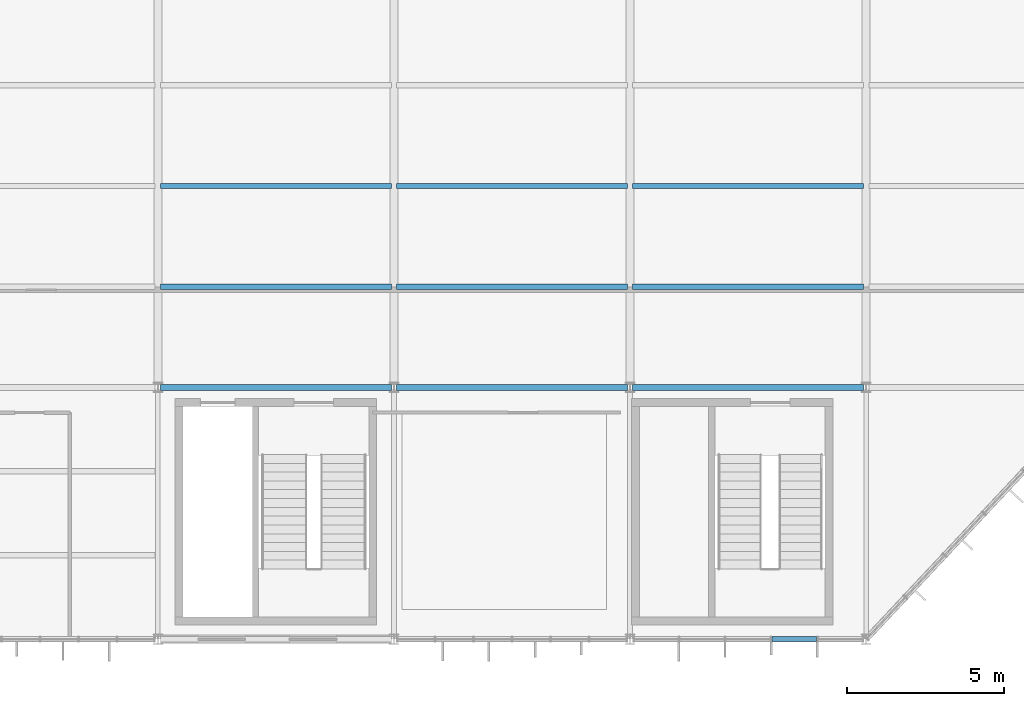
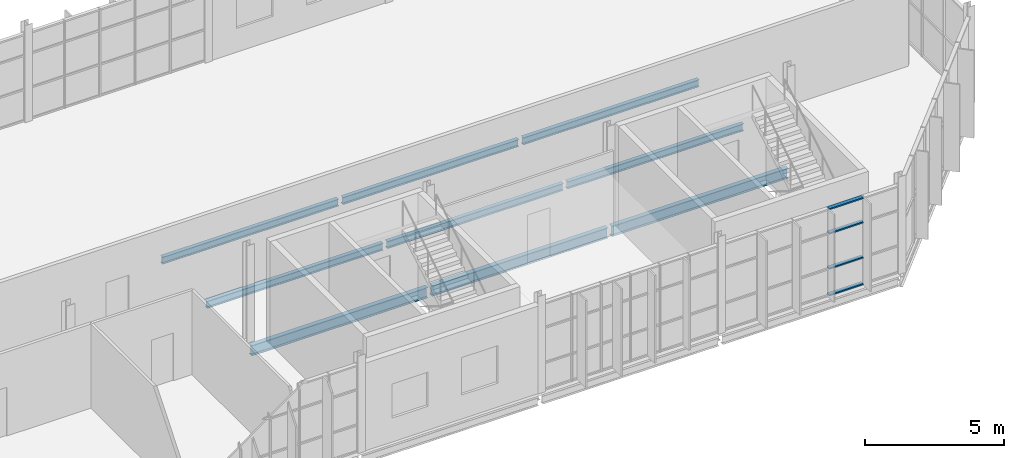
# One storey, part 59 of 324: 9 beams, 4 members, 1 element without a shape of its own.
"""IFC4 building model written with IfcOpenShell, lengths in metres."""

from ifc_helpers import new_model, si_unit, direction, frame, origin, origin_2d, place, context, subcontext, project, spatial, hollow_rectangle, i_section, extrude, material, layer, layer_set, material_profile, profile_set, type_object, element, aggregate, save


model = new_model("IFC4")

# Units and contexts
model_context = context("Model", 3, precision=1e-05, world=origin(), true_north=direction((0.0, 1.0)))
body_context = subcontext(model_context, "Body", "Model", "MODEL_VIEW")
ifc_project = project(units=[si_unit("LENGTHUNIT", "METRE"), si_unit("AREAUNIT", "SQUARE_METRE"), si_unit("VOLUMEUNIT", "CUBIC_METRE"), si_unit("PLANEANGLEUNIT", "RADIAN"), si_unit("MASSUNIT", "GRAM", prefix="KILO")], contexts=[model_context])

# Site, building, storey
site_placement = place(None, origin())
site = spatial("IfcSite", under=ifc_project, at=site_placement, CompositionType="ELEMENT")
building_placement = place(site_placement, origin())
building = spatial("IfcBuilding", under=site, at=building_placement, Name="Solvenia Promenade Tram Depot", CompositionType="ELEMENT")
storey_placement = place(building_placement, frame((0.0, 0.0, 4.5)))
storey = spatial("IfcBuildingStorey", under=building, at=storey_placement, Name="L01", CompositionType="ELEMENT", Elevation=4.5)

# Beams
ifc_material_1 = material(Name="Structural steel ASTM A992 Gr. 50", Category="steel")
ifc_material_profile_1 = material_profile(ifc_material_1, i_section(OverallWidth=0.19091796875, OverallDepth=0.4599609375, WebThickness=0.010009765625, FlangeThickness=0.01611328125, FilletRadius=0.012939453125, at=origin_2d()), Name="W460x82", Category="steel")
ifc_profile_set_1 = profile_set([ifc_material_profile_1], Name="Structural steel ASTM A992 Gr. 50")
beam_type_1 = type_object("IfcBeamType", Name="Beam-W460x82", PredefinedType="BEAM", material=ifc_profile_set_1)
for number, where, z_axis, x_axis, name in (
    (1, (60.0849609375, 8.0, -0.449951171875), (1.0, 0.0, 0.0), (0.0, 1.0, 0.0), "Primary Girder BM-L01-0320"),
    (2, (67.5849609375, 8.0, -0.449951171875), (1.0, 0.0, 0.0), (0.0, 1.0, 0.0), "Primary Girder BM-L01-0321"),
    (3, (75.0849609375, 8.0, -0.449951171875), (1.0, 0.0, 0.0), (0.0, 1.0, 0.0), "Primary Girder BM-L01-0322"),
):
    element("IfcBeam", number, at=place(storey_placement, frame(where, z_axis=z_axis, x_axis=x_axis)), inside=storey, type_object=beam_type_1, Name=name, PredefinedType="BEAM", context=body_context, shape_type="SweptSolid", body=[
        extrude(i_section(OverallWidth=0.19091796875, OverallDepth=0.4599609375, WebThickness=0.010009765625, FlangeThickness=0.01611328125, FilletRadius=0.012939453125, at=origin_2d()), origin(), (0.0, 0.0, 1.0), 7.330078125),
    ])

# Curtain wall, members
ifc_material_2 = material(Name="Anodized aluminium AW-6063 T6", Category="aluminium")
ifc_layer = layer(ifc_material_2, 0.179931640625, Name="Anodized aluminium AW-6063 T6", Category="aluminium")
ifc_layer_set = layer_set([ifc_layer], Name="Anodized aluminium AW-6063 T6")
curtain_wall_type = type_object("IfcCurtainWallType", Name="CW-Solar-1500", PredefinedType="NOTDEFINED", material=ifc_layer_set)
curtain_wall_placement = place(storey_placement, origin())
curtain_wall = element("IfcCurtainWall", 4, at=curtain_wall_placement, inside=storey, type_object=curtain_wall_type, Name="Curtain Wall CW-V4S-L01-10", PredefinedType="NOTDEFINED")
ifc_material_profile_2 = material_profile(ifc_material_2, hollow_rectangle(XDim=0.159912109375, YDim=0.05810546875, WallThickness=0.00390625, at=origin_2d()), Name="ALU-T3", Category="aluminium")
ifc_profile_set_2 = profile_set([ifc_material_profile_2], Name="Anodized aluminium AW-6063 T6")
member_type = type_object("IfcMemberType", Name="CWT-Transom-3", PredefinedType="USERDEFINED", material=ifc_profile_set_2)
member_1_placement = place(storey_placement, frame((79.508056640625, 0.0, 0.029052734375), z_axis=(1.0, 0.0, 0.0), x_axis=(0.0, 1.0, 0.0)))
member_1 = element("IfcMember", 5, at=member_1_placement, type_object=member_type, Name="CW-7 transom 4.1", ObjectType="TRANSOM", PredefinedType="USERDEFINED", context=body_context, shape_type="SweptSolid", body=[
    extrude(hollow_rectangle(XDim=0.159912109375, YDim=0.05810546875, WallThickness=0.00390625, at=origin_2d()), origin(), (0.0, 0.0, 1.0), 1.419921875),
])
member_2_placement = place(storey_placement, frame((79.508056640625, 0.0, 1.199951171875), z_axis=(1.0, 0.0, 0.0), x_axis=(0.0, 1.0, 0.0)))
member_2 = element("IfcMember", 6, at=member_2_placement, type_object=member_type, Name="CW-7 transom 4.2", ObjectType="TRANSOM", PredefinedType="USERDEFINED", context=body_context, shape_type="SweptSolid", body=[
    extrude(hollow_rectangle(XDim=0.159912109375, YDim=0.05810546875, WallThickness=0.00390625, at=origin_2d()), origin(), (0.0, 0.0, 1.0), 1.419921875),
])
member_3_placement = place(storey_placement, frame((79.508056640625, 0.0, 2.75), z_axis=(1.0, 0.0, 0.0), x_axis=(0.0, 1.0, 0.0)))
member_3 = element("IfcMember", 7, at=member_3_placement, type_object=member_type, Name="CW-7 transom 4.3", ObjectType="TRANSOM", PredefinedType="USERDEFINED", context=body_context, shape_type="SweptSolid", body=[
    extrude(hollow_rectangle(XDim=0.159912109375, YDim=0.05810546875, WallThickness=0.00390625, at=origin_2d()), origin(), (0.0, 0.0, 1.0), 1.419921875),
])
member_4_placement = place(storey_placement, frame((79.508056640625, 0.0, 3.821044921875), z_axis=(1.0, 0.0, 0.0), x_axis=(0.0, 1.0, 0.0)))
member_4 = element("IfcMember", 8, at=member_4_placement, type_object=member_type, Name="CW-7 transom 4.4", ObjectType="TRANSOM", PredefinedType="USERDEFINED", context=body_context, shape_type="SweptSolid", body=[
    extrude(hollow_rectangle(XDim=0.159912109375, YDim=0.05810546875, WallThickness=0.00390625, at=origin_2d()), origin(), (0.0, 0.0, 1.0), 1.419921875),
])
aggregate(curtain_wall, [member_1, member_2, member_3, member_4])

# Beams
ifc_material_profile_3 = material_profile(ifc_material_1, i_section(OverallWidth=0.166015625, OverallDepth=0.31298828125, WebThickness=0.006591796875, FlangeThickness=0.01123046875, FilletRadius=0.010009765625, at=origin_2d()), Name="W310x45", Category="steel")
ifc_profile_set_3 = profile_set([ifc_material_profile_3], Name="Structural steel ASTM A992 Gr. 50")
beam_type_2 = type_object("IfcBeamType", Name="Joist-W310x45", PredefinedType="JOIST", material=ifc_profile_set_3)
for number, where, z_axis, x_axis, name in (
    (9, (60.0849609375, 11.199951171875, -0.37646484375), (1.0, 0.0, 0.0), (0.0, 1.0, 0.0), "Secondary Floor Joist BM-L01-0398"),
    (10, (60.0849609375, 14.39990234375, -0.37646484375), (1.0, 0.0, 0.0), (0.0, 1.0, 0.0), "Secondary Floor Joist BM-L01-0399"),
    (11, (67.5849609375, 11.199951171875, -0.37646484375), (1.0, 0.0, 0.0), (0.0, 1.0, 0.0), "Secondary Floor Joist BM-L01-0402"),
    (12, (67.5849609375, 14.39990234375, -0.37646484375), (1.0, 0.0, 0.0), (0.0, 1.0, 0.0), "Secondary Floor Joist BM-L01-0403"),
    (13, (75.0849609375, 11.199951171875, -0.37646484375), (1.0, 0.0, 0.0), (0.0, 1.0, 0.0), "Secondary Floor Joist BM-L01-0406"),
    (14, (75.0849609375, 14.39990234375, -0.37646484375), (1.0, 0.0, 0.0), (0.0, 1.0, 0.0), "Secondary Floor Joist BM-L01-0407"),
):
    element("IfcBeam", number, at=place(storey_placement, frame(where, z_axis=z_axis, x_axis=x_axis)), inside=storey, type_object=beam_type_2, Name=name, PredefinedType="JOIST", context=body_context, shape_type="SweptSolid", body=[
        extrude(i_section(OverallWidth=0.166015625, OverallDepth=0.31298828125, WebThickness=0.006591796875, FlangeThickness=0.01123046875, FilletRadius=0.010009765625, at=origin_2d()), origin(), (0.0, 0.0, 1.0), 7.330078125),
    ])

save(model, "model.ifc")
